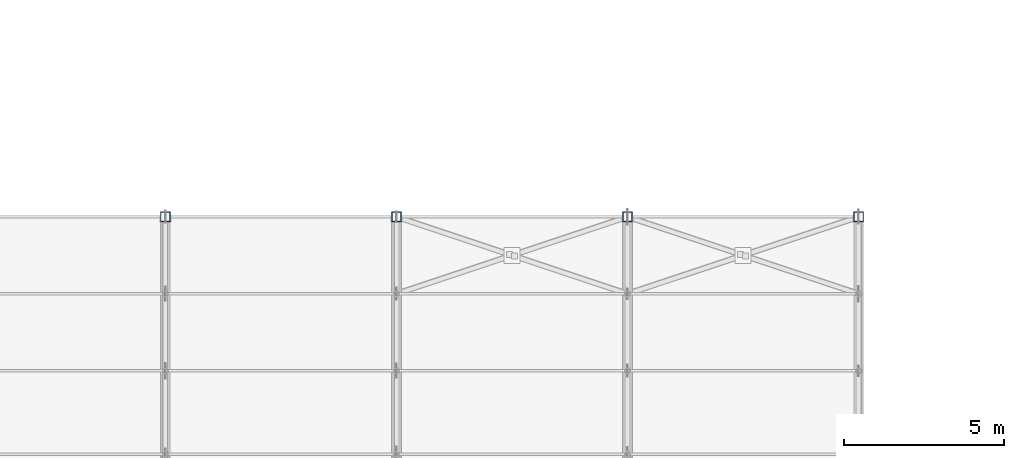
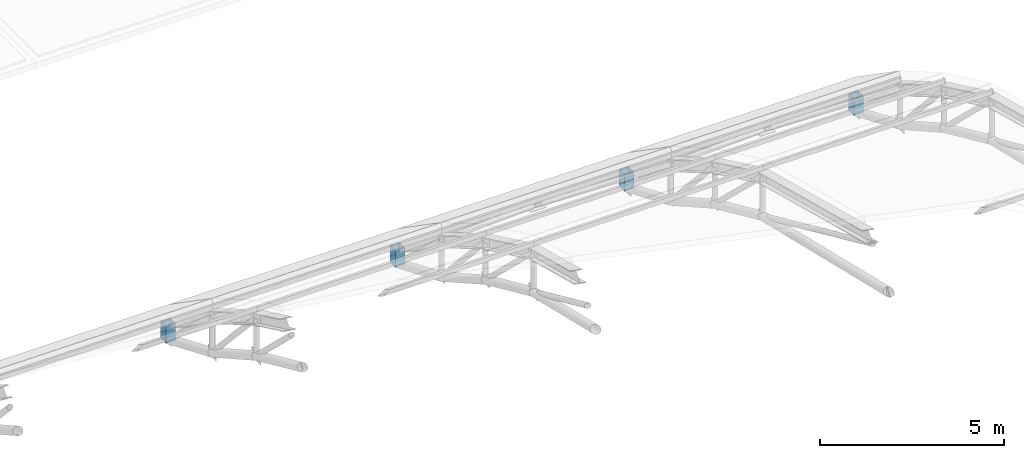
# One storey, part 7 of 63: 4 columns.
"""IFC4 building model written with IfcOpenShell, lengths in metres."""

from ifc_helpers import new_model, si_unit, direction, frame, origin, origin_2d, place, context, subcontext, project, spatial, hollow_rectangle, extrude, material, material_profile, profile_set, type_object, element, save


model = new_model("IFC4")

# Units and contexts
model_context = context("Model", 3, precision=1e-05, world=origin(), true_north=direction((0.0, 1.0)))
body_context = subcontext(model_context, "Body", "Model", "MODEL_VIEW")
ifc_project = project(units=[si_unit("LENGTHUNIT", "METRE"), si_unit("AREAUNIT", "SQUARE_METRE"), si_unit("VOLUMEUNIT", "CUBIC_METRE"), si_unit("PLANEANGLEUNIT", "RADIAN"), si_unit("MASSUNIT", "GRAM", prefix="KILO")], contexts=[model_context])

# Site, building, storey
site_placement = place(None, origin())
site = spatial("IfcSite", under=ifc_project, at=site_placement, CompositionType="ELEMENT")
building_placement = place(site_placement, origin())
building = spatial("IfcBuilding", under=site, at=building_placement, Name="Solvadek Multi-Sports Hall", CompositionType="ELEMENT")
storey_placement = place(building_placement, frame((0.0, 0.0, 19.199951171875)))
storey = spatial("IfcBuildingStorey", under=building, at=storey_placement, Name="RF", CompositionType="ELEMENT", Elevation=19.199951171875)

# Columns
ifc_material = material(Name="Steel E350 (350 MPa)", Category="steel")
ifc_material_profile = material_profile(ifc_material, hollow_rectangle(XDim=0.300048828125, YDim=0.300048828125, WallThickness=0.012451171875, at=origin_2d()), Name="SHS 300x300x12.5")
ifc_profile_set = profile_set([ifc_material_profile], Name="Steel E350 (350 MPa)")
column_type = type_object("IfcColumnType", Name="STR-COL-SHS300", PredefinedType="COLUMN", material=ifc_profile_set)
for number, where, z_axis, x_axis, name in (
    (1, (36.0, 78.0, -4.800048828125), (0.0, 0.0, 1.0), (1.0, 0.0, 0.0), "v4 Truss 3 Bearing Post"),
    (2, (43.199951171875, 78.0, -4.800048828125), (0.0, 0.0, 1.0), (1.0, 0.0, 0.0), "v4 Truss 4 Bearing Post"),
    (3, (50.39990234375, 78.0, -4.800048828125), (0.0, 0.0, 1.0), (1.0, 0.0, 0.0), "v4 Truss 5 Bearing Post"),
    (4, (57.60009765625, 78.0, -4.800048828125), (0.0, 0.0, 1.0), (1.0, 0.0, 0.0), "v4 Truss 6 Bearing Post"),
):
    element("IfcColumn", number, at=place(storey_placement, frame(where, z_axis=z_axis, x_axis=x_axis)), inside=storey, type_object=column_type, Name=name, PredefinedType="COLUMN", context=body_context, shape_type="SweptSolid", body=[
        extrude(hollow_rectangle(XDim=0.300048828125, YDim=0.300048828125, WallThickness=0.012451171875, at=origin_2d()), origin(), (0.0, 0.0, 1.0), 0.550048828125),
    ])

save(model, "model.ifc")
